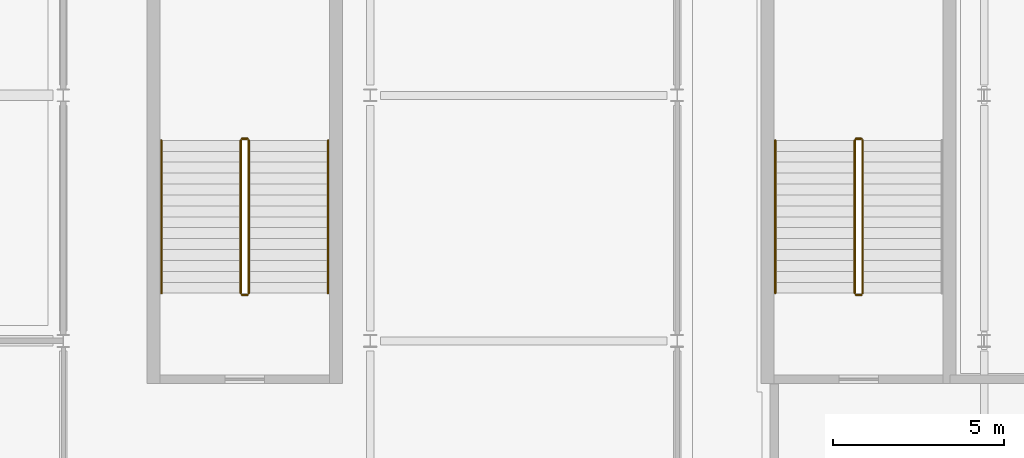
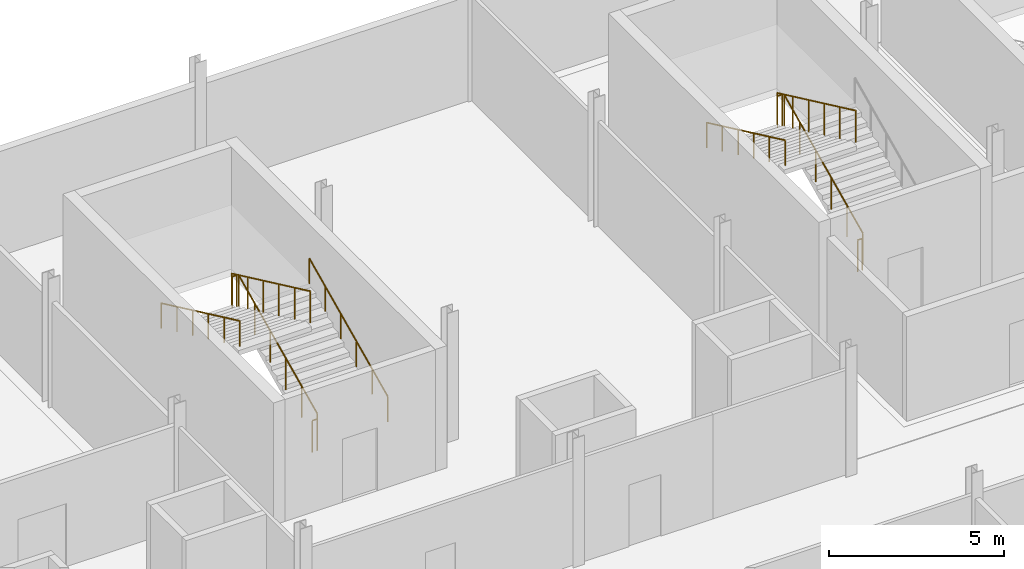
# One storey, part 76 of 78: 11 railings.
"""IFC4 building model written with IfcOpenShell, lengths in metres."""

from ifc_helpers import new_model, si_unit, direction, frame, origin, origin_2d, place, context, subcontext, project, spatial, circle, extrude, material, layer, layer_set, type_object, element, save


model = new_model("IFC4")

# Units and contexts
model_context = context("Model", 3, precision=1e-05, world=origin(), true_north=direction((0.0, 1.0)))
body_context = subcontext(model_context, "Body", "Model", "MODEL_VIEW")
ifc_project = project(units=[si_unit("LENGTHUNIT", "METRE"), si_unit("AREAUNIT", "SQUARE_METRE"), si_unit("VOLUMEUNIT", "CUBIC_METRE"), si_unit("PLANEANGLEUNIT", "RADIAN"), si_unit("MASSUNIT", "GRAM", prefix="KILO")], contexts=[model_context])

# Site, building, storey
site_placement = place(None, origin())
site = spatial("IfcSite", under=ifc_project, at=site_placement, CompositionType="ELEMENT")
building_placement = place(site_placement, origin())
building = spatial("IfcBuilding", under=site, at=building_placement, Name="Celestram Park Convention Centre", CompositionType="ELEMENT")
storey_placement = place(building_placement, frame((0.0, 0.0, 19.800048828125)))
storey = spatial("IfcBuildingStorey", under=building, at=storey_placement, Name="L04", CompositionType="ELEMENT", Elevation=19.800048828125)

# Railings
ifc_material_1 = material(Name="Stainless Steel AISI 316L & Laminated Glass", Category="steel")
ifc_layer_1 = layer(ifc_material_1, 0.06005859375)
ifc_layer_set_1 = layer_set([ifc_layer_1], Name="Stainless Steel AISI 316L & Laminated Glass")
railing_type_1 = type_object("IfcRailingType", Name="ARC-RL-GRD1120", PredefinedType="GUARDRAIL", material=ifc_layer_set_1)
railing_1_placement = place(storey_placement, frame((86.43603515625, 152.60009765625, 0.14990234375)))
element("IfcRailing", 1, at=railing_1_placement, inside=storey, type_object=railing_type_1, Name="L04 ST-02 stair guard 1", PredefinedType="GUARDRAIL", context=body_context, shape_type="SweptSolid", body=[
    extrude(circle(Radius=0.02392578125, at=origin_2d()), frame((0.0, 0.0, 1.09619140625), z_axis=(0.0, 0.905450639465, 0.424451574969), x_axis=(-1.0, 0.0, 0.0)), (0.0, 0.0, 1.0), 4.94775390625),
    extrude(circle(Radius=0.02099609375, at=origin_2d()), origin(), (0.0, 0.0, 1.0), 1.072021484375),
    extrude(circle(Radius=0.02099609375, at=origin_2d()), frame((0.0, 0.89599609375, 0.419921875)), (0.0, 0.0, 1.0), 1.072021484375),
    extrude(circle(Radius=0.02099609375, at=origin_2d()), frame((0.0, 1.7919921875, 0.840087890625)), (0.0, 0.0, 1.0), 1.072021484375),
    extrude(circle(Radius=0.02099609375, at=origin_2d()), frame((0.0, 2.68798828125, 1.260009765625)), (0.0, 0.0, 1.0), 1.072021484375),
    extrude(circle(Radius=0.02099609375, at=origin_2d()), frame((0.0, 3.583984375, 1.68017578125)), (0.0, 0.0, 1.0), 1.072021484375),
    extrude(circle(Radius=0.02099609375, at=origin_2d()), frame((0.0, 4.47998046875, 2.10009765625)), (0.0, 0.0, 1.0), 1.072021484375),
])
railing_2_placement = place(storey_placement, frame((86.39990234375, 157.1298828125, 2.25)))
element("IfcRailing", 2, at=railing_2_placement, inside=storey, type_object=railing_type_1, Name="L04 ST-02 stair guard 2", PredefinedType="GUARDRAIL", context=body_context, shape_type="SweptSolid", body=[
    extrude(circle(Radius=0.02392578125, at=origin_2d()), frame((0.0, 0.0, 1.09619140625), z_axis=(-1.0, 0.0, 0.0), x_axis=(0.0, -1.0, 0.0)), (0.0, 0.0, 1.0), 0.159912109375),
    extrude(circle(Radius=0.02099609375, at=origin_2d()), origin(), (0.0, 0.0, 1.0), 1.072021484375),
    extrude(circle(Radius=0.02099609375, at=origin_2d()), frame((-0.159912109375, 0.0, 0.0)), (0.0, 0.0, 1.0), 1.072021484375),
])
railing_3_placement = place(storey_placement, frame((86.2041015625, 157.080078125, 2.39990234375)))
element("IfcRailing", 3, at=railing_3_placement, inside=storey, type_object=railing_type_1, Name="L04 ST-02 stair guard 3", PredefinedType="GUARDRAIL", context=body_context, shape_type="SweptSolid", body=[
    extrude(circle(Radius=0.02392578125, at=origin_2d()), frame((0.0, 0.0, 1.09619140625), z_axis=(0.0, -0.905450639465, 0.424451574969), x_axis=(1.0, 0.0, 0.0)), (0.0, 0.0, 1.0), 4.94775390625),
    extrude(circle(Radius=0.02099609375, at=origin_2d()), origin(), (0.0, 0.0, 1.0), 1.072021484375),
    extrude(circle(Radius=0.02099609375, at=origin_2d()), frame((0.0, -0.89599609375, 0.419921875)), (0.0, 0.0, 1.0), 1.072021484375),
    extrude(circle(Radius=0.02099609375, at=origin_2d()), frame((0.0, -1.7919921875, 0.840087890625)), (0.0, 0.0, 1.0), 1.072021484375),
    extrude(circle(Radius=0.02099609375, at=origin_2d()), frame((0.0, -2.68798828125, 1.260009765625)), (0.0, 0.0, 1.0), 1.072021484375),
    extrude(circle(Radius=0.02099609375, at=origin_2d()), frame((0.0, -3.583984375, 1.68017578125)), (0.0, 0.0, 1.0), 1.072021484375),
    extrude(circle(Radius=0.02099609375, at=origin_2d()), frame((0.0, -4.47998046875, 2.10009765625)), (0.0, 0.0, 1.0), 1.072021484375),
])
railing_4_placement = place(storey_placement, frame((86.39990234375, 152.550048828125, 0.0)))
element("IfcRailing", 4, at=railing_4_placement, inside=storey, type_object=railing_type_1, Name="L04 ST-02 stair guard 4", PredefinedType="GUARDRAIL", context=body_context, shape_type="SweptSolid", body=[
    extrude(circle(Radius=0.02392578125, at=origin_2d()), frame((0.0, 0.0, 1.09619140625), z_axis=(-1.0, 0.0, 0.0), x_axis=(0.0, -1.0, 0.0)), (0.0, 0.0, 1.0), 0.159912109375),
    extrude(circle(Radius=0.02099609375, at=origin_2d()), origin(), (0.0, 0.0, 1.0), 1.072021484375),
    extrude(circle(Radius=0.02099609375, at=origin_2d()), frame((-0.159912109375, 0.0, 0.0)), (0.0, 0.0, 1.0), 1.072021484375),
])
railing_5_placement = place(storey_placement, frame((68.43603515625, 152.60009765625, 0.14990234375)))
element("IfcRailing", 5, at=railing_5_placement, inside=storey, type_object=railing_type_1, Name="L04 ST-14 stair guard 1", PredefinedType="GUARDRAIL", context=body_context, shape_type="SweptSolid", body=[
    extrude(circle(Radius=0.02392578125, at=origin_2d()), frame((0.0, 0.0, 1.09619140625), z_axis=(0.0, 0.905450639465, 0.424451574969), x_axis=(-1.0, 0.0, 0.0)), (0.0, 0.0, 1.0), 4.94775390625),
    extrude(circle(Radius=0.02099609375, at=origin_2d()), origin(), (0.0, 0.0, 1.0), 1.072021484375),
    extrude(circle(Radius=0.02099609375, at=origin_2d()), frame((0.0, 0.89599609375, 0.419921875)), (0.0, 0.0, 1.0), 1.072021484375),
    extrude(circle(Radius=0.02099609375, at=origin_2d()), frame((0.0, 1.7919921875, 0.840087890625)), (0.0, 0.0, 1.0), 1.072021484375),
    extrude(circle(Radius=0.02099609375, at=origin_2d()), frame((0.0, 2.68798828125, 1.260009765625)), (0.0, 0.0, 1.0), 1.072021484375),
    extrude(circle(Radius=0.02099609375, at=origin_2d()), frame((0.0, 3.583984375, 1.68017578125)), (0.0, 0.0, 1.0), 1.072021484375),
    extrude(circle(Radius=0.02099609375, at=origin_2d()), frame((0.0, 4.47998046875, 2.10009765625)), (0.0, 0.0, 1.0), 1.072021484375),
])
railing_6_placement = place(storey_placement, frame((68.39990234375, 157.1298828125, 2.25)))
element("IfcRailing", 6, at=railing_6_placement, inside=storey, type_object=railing_type_1, Name="L04 ST-14 stair guard 2", PredefinedType="GUARDRAIL", context=body_context, shape_type="SweptSolid", body=[
    extrude(circle(Radius=0.02392578125, at=origin_2d()), frame((0.0, 0.0, 1.09619140625), z_axis=(-1.0, 0.0, 0.0), x_axis=(0.0, -1.0, 0.0)), (0.0, 0.0, 1.0), 0.159912109375),
    extrude(circle(Radius=0.02099609375, at=origin_2d()), origin(), (0.0, 0.0, 1.0), 1.072021484375),
    extrude(circle(Radius=0.02099609375, at=origin_2d()), frame((-0.159912109375, 0.0, 0.0)), (0.0, 0.0, 1.0), 1.072021484375),
])
railing_7_placement = place(storey_placement, frame((68.2041015625, 157.080078125, 2.39990234375)))
element("IfcRailing", 7, at=railing_7_placement, inside=storey, type_object=railing_type_1, Name="L04 ST-14 stair guard 3", PredefinedType="GUARDRAIL", context=body_context, shape_type="SweptSolid", body=[
    extrude(circle(Radius=0.02392578125, at=origin_2d()), frame((0.0, 0.0, 1.09619140625), z_axis=(0.0, -0.905450639465, 0.424451574969), x_axis=(1.0, 0.0, 0.0)), (0.0, 0.0, 1.0), 4.94775390625),
    extrude(circle(Radius=0.02099609375, at=origin_2d()), origin(), (0.0, 0.0, 1.0), 1.072021484375),
    extrude(circle(Radius=0.02099609375, at=origin_2d()), frame((0.0, -0.89599609375, 0.419921875)), (0.0, 0.0, 1.0), 1.072021484375),
    extrude(circle(Radius=0.02099609375, at=origin_2d()), frame((0.0, -1.7919921875, 0.840087890625)), (0.0, 0.0, 1.0), 1.072021484375),
    extrude(circle(Radius=0.02099609375, at=origin_2d()), frame((0.0, -2.68798828125, 1.260009765625)), (0.0, 0.0, 1.0), 1.072021484375),
    extrude(circle(Radius=0.02099609375, at=origin_2d()), frame((0.0, -3.583984375, 1.68017578125)), (0.0, 0.0, 1.0), 1.072021484375),
    extrude(circle(Radius=0.02099609375, at=origin_2d()), frame((0.0, -4.47998046875, 2.10009765625)), (0.0, 0.0, 1.0), 1.072021484375),
])
railing_8_placement = place(storey_placement, frame((68.39990234375, 152.550048828125, 0.0)))
element("IfcRailing", 8, at=railing_8_placement, inside=storey, type_object=railing_type_1, Name="L04 ST-14 stair guard 4", PredefinedType="GUARDRAIL", context=body_context, shape_type="SweptSolid", body=[
    extrude(circle(Radius=0.02392578125, at=origin_2d()), frame((0.0, 0.0, 1.09619140625), z_axis=(-1.0, 0.0, 0.0), x_axis=(0.0, -1.0, 0.0)), (0.0, 0.0, 1.0), 0.159912109375),
    extrude(circle(Radius=0.02099609375, at=origin_2d()), origin(), (0.0, 0.0, 1.0), 1.072021484375),
    extrude(circle(Radius=0.02099609375, at=origin_2d()), frame((-0.159912109375, 0.0, 0.0)), (0.0, 0.0, 1.0), 1.072021484375),
])
ifc_material_2 = material(Name="Brushed Stainless Steel AISI 304", Category="steel")
ifc_layer_2 = layer(ifc_material_2, 0.048095703125)
ifc_layer_set_2 = layer_set([ifc_layer_2], Name="Brushed Stainless Steel AISI 304")
railing_type_2 = type_object("IfcRailingType", Name="ARC-RL-HND915", PredefinedType="HANDRAIL", material=ifc_layer_set_2)
railing_9_placement = place(storey_placement, frame((83.8759765625, 157.080078125, 2.39990234375)))
element("IfcRailing", 9, at=railing_9_placement, inside=storey, type_object=railing_type_2, Name="L04 ST-02 stair handrail 2", PredefinedType="HANDRAIL", context=body_context, shape_type="SweptSolid", body=[
    extrude(circle(Radius=0.02392578125, at=origin_2d()), frame((0.0, 0.0, 0.8759765625), z_axis=(0.0, -0.905450639465, 0.424451574969), x_axis=(1.0, 0.0, 0.0)), (0.0, 0.0, 1.0), 4.94775390625),
    extrude(circle(Radius=0.02099609375, at=origin_2d()), origin(), (0.0, 0.0, 1.0), 0.851806640625),
    extrude(circle(Radius=0.02099609375, at=origin_2d()), frame((0.0, -0.89599609375, 0.419921875)), (0.0, 0.0, 1.0), 0.851806640625),
    extrude(circle(Radius=0.02099609375, at=origin_2d()), frame((0.0, -1.7919921875, 0.840087890625)), (0.0, 0.0, 1.0), 0.851806640625),
    extrude(circle(Radius=0.02099609375, at=origin_2d()), frame((0.0, -2.68798828125, 1.260009765625)), (0.0, 0.0, 1.0), 0.851806640625),
    extrude(circle(Radius=0.02099609375, at=origin_2d()), frame((0.0, -3.583984375, 1.68017578125)), (0.0, 0.0, 1.0), 0.851806640625),
    extrude(circle(Radius=0.02099609375, at=origin_2d()), frame((0.0, -4.47998046875, 2.10009765625)), (0.0, 0.0, 1.0), 0.851806640625),
])
railing_10_placement = place(storey_placement, frame((70.763916015625, 152.60009765625, 0.14990234375)))
element("IfcRailing", 10, at=railing_10_placement, inside=storey, type_object=railing_type_2, Name="L04 ST-14 stair handrail 1", PredefinedType="HANDRAIL", context=body_context, shape_type="SweptSolid", body=[
    extrude(circle(Radius=0.02392578125, at=origin_2d()), frame((0.0, 0.0, 0.8759765625), z_axis=(0.0, 0.905450639465, 0.424451574969), x_axis=(-1.0, 0.0, 0.0)), (0.0, 0.0, 1.0), 4.94775390625),
    extrude(circle(Radius=0.02099609375, at=origin_2d()), origin(), (0.0, 0.0, 1.0), 0.851806640625),
    extrude(circle(Radius=0.02099609375, at=origin_2d()), frame((0.0, 0.89599609375, 0.419921875)), (0.0, 0.0, 1.0), 0.851806640625),
    extrude(circle(Radius=0.02099609375, at=origin_2d()), frame((0.0, 1.7919921875, 0.840087890625)), (0.0, 0.0, 1.0), 0.851806640625),
    extrude(circle(Radius=0.02099609375, at=origin_2d()), frame((0.0, 2.68798828125, 1.260009765625)), (0.0, 0.0, 1.0), 0.851806640625),
    extrude(circle(Radius=0.02099609375, at=origin_2d()), frame((0.0, 3.583984375, 1.68017578125)), (0.0, 0.0, 1.0), 0.851806640625),
    extrude(circle(Radius=0.02099609375, at=origin_2d()), frame((0.0, 4.47998046875, 2.10009765625)), (0.0, 0.0, 1.0), 0.851806640625),
])
railing_11_placement = place(storey_placement, frame((65.8759765625, 157.080078125, 2.39990234375)))
element("IfcRailing", 11, at=railing_11_placement, inside=storey, type_object=railing_type_2, Name="L04 ST-14 stair handrail 2", PredefinedType="HANDRAIL", context=body_context, shape_type="SweptSolid", body=[
    extrude(circle(Radius=0.02392578125, at=origin_2d()), frame((0.0, 0.0, 0.8759765625), z_axis=(0.0, -0.905450639465, 0.424451574969), x_axis=(1.0, 0.0, 0.0)), (0.0, 0.0, 1.0), 4.94775390625),
    extrude(circle(Radius=0.02099609375, at=origin_2d()), origin(), (0.0, 0.0, 1.0), 0.851806640625),
    extrude(circle(Radius=0.02099609375, at=origin_2d()), frame((0.0, -0.89599609375, 0.419921875)), (0.0, 0.0, 1.0), 0.851806640625),
    extrude(circle(Radius=0.02099609375, at=origin_2d()), frame((0.0, -1.7919921875, 0.840087890625)), (0.0, 0.0, 1.0), 0.851806640625),
    extrude(circle(Radius=0.02099609375, at=origin_2d()), frame((0.0, -2.68798828125, 1.260009765625)), (0.0, 0.0, 1.0), 0.851806640625),
    extrude(circle(Radius=0.02099609375, at=origin_2d()), frame((0.0, -3.583984375, 1.68017578125)), (0.0, 0.0, 1.0), 0.851806640625),
    extrude(circle(Radius=0.02099609375, at=origin_2d()), frame((0.0, -4.47998046875, 2.10009765625)), (0.0, 0.0, 1.0), 0.851806640625),
])

save(model, "model.ifc")
